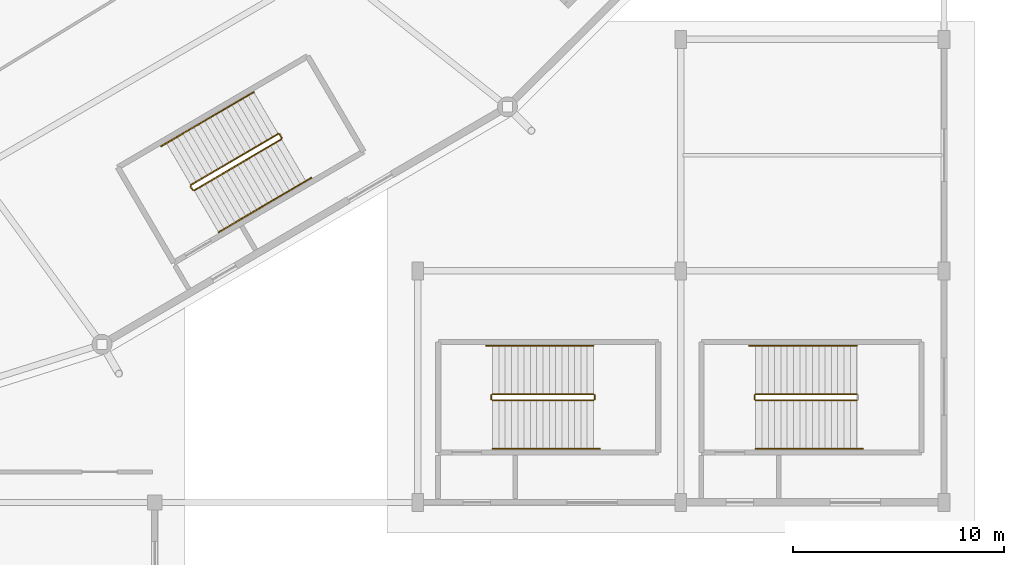
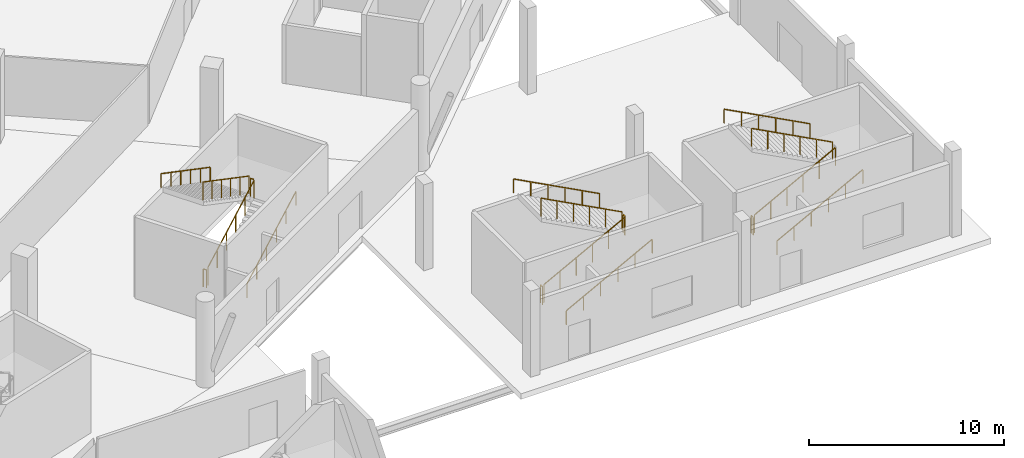
# One storey, part 69 of 82: 17 railings.
"""IFC4 building model written with IfcOpenShell, lengths in metres."""

from ifc_helpers import new_model, si_unit, direction, frame, origin, origin_2d, place, context, subcontext, project, spatial, rectangle, extrude, material, type_object, element, save


model = new_model("IFC4")

# Units and contexts
model_context = context("Model", 3, precision=1e-05, world=origin(), true_north=direction((0.0, 1.0)))
body_context = subcontext(model_context, "Body", "Model", "MODEL_VIEW")
ifc_project = project(units=[si_unit("LENGTHUNIT", "METRE"), si_unit("AREAUNIT", "SQUARE_METRE"), si_unit("VOLUMEUNIT", "CUBIC_METRE"), si_unit("PLANEANGLEUNIT", "RADIAN"), si_unit("MASSUNIT", "GRAM", prefix="KILO")], contexts=[model_context])

# Site, building, storey
site_placement = place(None, origin())
site = spatial("IfcSite", under=ifc_project, at=site_placement, CompositionType="ELEMENT")
building_placement = place(site_placement, origin())
building = spatial("IfcBuilding", under=site, at=building_placement, Name="Zlatoyarsky Gate Stadium", CompositionType="ELEMENT")
storey_placement = place(building_placement, origin())
storey = spatial("IfcBuildingStorey", under=building, at=storey_placement, Name="L00", CompositionType="ELEMENT", Elevation=0.0)

# Railings
ifc_material_1 = material(Name="Powder-coated steel stair guardrail", Category="steel")
railing_type_1 = type_object("IfcRailingType", Name="PAINTED STEEL STAIR WELL GUARDRAIL 1150", PredefinedType="GUARDRAIL", material=ifc_material_1)
railing_1_placement = place(storey_placement, frame((161.8779296875, 25.8232421875, 0.158935546875)))
element("IfcRailing", 1, at=railing_1_placement, inside=storey, type_object=railing_type_1, Name="ST-11 L00 stair guard 1", PredefinedType="GUARDRAIL", context=body_context, shape_type="SweptSolid", body=[
    extrude(rectangle(XDim=0.048095703125, YDim=0.048095703125, at=origin_2d()), frame((0.0, 0.0, 1.1259765625), z_axis=(0.762577086584, 0.446739630186, 0.467867384884), x_axis=(-0.505476687537, 0.862840262364, 0.0)), (0.0, 0.0, 1.0), 5.43115234375),
    extrude(rectangle(XDim=0.0419921875, YDim=0.0419921875, at=origin_2d()), origin(), (0.0, 0.0, 1.0), 1.101806640625),
    extrude(rectangle(XDim=0.0419921875, YDim=0.0419921875, at=origin_2d()), frame((0.828369140625, 0.4853515625, 0.50830078125)), (0.0, 0.0, 1.0), 1.101806640625),
    extrude(rectangle(XDim=0.0419921875, YDim=0.0419921875, at=origin_2d()), frame((1.65673828125, 0.970458984375, 1.016357421875)), (0.0, 0.0, 1.0), 1.101806640625),
    extrude(rectangle(XDim=0.0419921875, YDim=0.0419921875, at=origin_2d()), frame((2.48486328125, 1.455810546875, 1.524658203125)), (0.0, 0.0, 1.0), 1.101806640625),
    extrude(rectangle(XDim=0.0419921875, YDim=0.0419921875, at=origin_2d()), frame((3.313232421875, 1.94091796875, 2.03271484375)), (0.0, 0.0, 1.0), 1.101806640625),
    extrude(rectangle(XDim=0.0419921875, YDim=0.0419921875, at=origin_2d()), frame((4.1416015625, 2.42626953125, 2.541015625)), (0.0, 0.0, 1.0), 1.101806640625),
])
railing_2_placement = place(storey_placement, frame((166.037353515625, 28.31787109375, 2.699951171875)))
element("IfcRailing", 2, at=railing_2_placement, inside=storey, type_object=railing_type_1, Name="ST-11 L00 stair guard 2", PredefinedType="GUARDRAIL", context=body_context, shape_type="SweptSolid", body=[
    extrude(rectangle(XDim=0.048095703125, YDim=0.048095703125, at=origin_2d()), frame((0.0, 0.0, 1.1259765625), z_axis=(-0.505312229679, 0.862936585467, 0.0), x_axis=(-0.862936585467, -0.505312229679, 0.0)), (0.0, 0.0, 1.0), 0.199951171875),
    extrude(rectangle(XDim=0.0419921875, YDim=0.0419921875, at=origin_2d()), origin(), (0.0, 0.0, 1.0), 1.101806640625),
    extrude(rectangle(XDim=0.0419921875, YDim=0.0419921875, at=origin_2d()), frame((-0.10107421875, 0.172607421875, 0.0)), (0.0, 0.0, 1.0), 1.101806640625),
])
railing_3_placement = place(storey_placement, frame((165.867919921875, 28.50830078125, 2.85888671875)))
element("IfcRailing", 3, at=railing_3_placement, inside=storey, type_object=railing_type_1, Name="ST-11 L00 stair guard 3", PredefinedType="GUARDRAIL", context=body_context, shape_type="SweptSolid", body=[
    extrude(rectangle(XDim=0.048095703125, YDim=0.048095703125, at=origin_2d()), frame((0.0, 0.0, 1.1259765625), z_axis=(-0.762577086584, -0.446739630186, 0.467867384884), x_axis=(0.505476687537, -0.862840262364, 0.0)), (0.0, 0.0, 1.0), 5.43115234375),
    extrude(rectangle(XDim=0.0419921875, YDim=0.0419921875, at=origin_2d()), origin(), (0.0, 0.0, 1.0), 1.101806640625),
    extrude(rectangle(XDim=0.0419921875, YDim=0.0419921875, at=origin_2d()), frame((-0.828369140625, -0.4853515625, 0.50830078125)), (0.0, 0.0, 1.0), 1.101806640625),
    extrude(rectangle(XDim=0.0419921875, YDim=0.0419921875, at=origin_2d()), frame((-1.65673828125, -0.970458984375, 1.016357421875)), (0.0, 0.0, 1.0), 1.101806640625),
    extrude(rectangle(XDim=0.0419921875, YDim=0.0419921875, at=origin_2d()), frame((-2.48486328125, -1.455810546875, 1.524658203125)), (0.0, 0.0, 1.0), 1.101806640625),
    extrude(rectangle(XDim=0.0419921875, YDim=0.0419921875, at=origin_2d()), frame((-3.313232421875, -1.94091796875, 2.03271484375)), (0.0, 0.0, 1.0), 1.101806640625),
    extrude(rectangle(XDim=0.0419921875, YDim=0.0419921875, at=origin_2d()), frame((-4.1416015625, -2.42626953125, 2.541015625)), (0.0, 0.0, 1.0), 1.101806640625),
])
railing_4_placement = place(storey_placement, frame((161.809326171875, 25.841064453125, 0.0)))
element("IfcRailing", 4, at=railing_4_placement, inside=storey, type_object=railing_type_1, Name="ST-11 L00 stair guard 4", PredefinedType="GUARDRAIL", context=body_context, shape_type="SweptSolid", body=[
    extrude(rectangle(XDim=0.048095703125, YDim=0.048095703125, at=origin_2d()), frame((0.0, 0.0, 1.1259765625), z_axis=(-0.505312229679, 0.862936585467, 0.0), x_axis=(-0.862936585467, -0.505312229679, 0.0)), (0.0, 0.0, 1.0), 0.199951171875),
    extrude(rectangle(XDim=0.0419921875, YDim=0.0419921875, at=origin_2d()), origin(), (0.0, 0.0, 1.0), 1.101806640625),
    extrude(rectangle(XDim=0.0419921875, YDim=0.0419921875, at=origin_2d()), frame((-0.10107421875, 0.172607421875, 0.0)), (0.0, 0.0, 1.0), 1.101806640625),
])
railing_5_placement = place(storey_placement, frame((176.050048828125, 15.85009765625, 0.158935546875)))
element("IfcRailing", 5, at=railing_5_placement, inside=storey, type_object=railing_type_1, Name="ST-23 L00 stair guard 1", PredefinedType="GUARDRAIL", context=body_context, shape_type="SweptSolid", body=[
    extrude(rectangle(XDim=0.048095703125, YDim=0.048095703125, at=origin_2d()), frame((0.0, 0.0, 1.1259765625), z_axis=(0.883802130504, 0.0, 0.467860870469), x_axis=(0.0, 1.0, 0.0)), (0.0, 0.0, 1.0), 5.43115234375),
    extrude(rectangle(XDim=0.0419921875, YDim=0.0419921875, at=origin_2d()), origin(), (0.0, 0.0, 1.0), 1.101806640625),
    extrude(rectangle(XDim=0.0419921875, YDim=0.0419921875, at=origin_2d()), frame((0.9599609375, 0.0, 0.50830078125)), (0.0, 0.0, 1.0), 1.101806640625),
    extrude(rectangle(XDim=0.0419921875, YDim=0.0419921875, at=origin_2d()), frame((1.919921875, 0.0, 1.016357421875)), (0.0, 0.0, 1.0), 1.101806640625),
    extrude(rectangle(XDim=0.0419921875, YDim=0.0419921875, at=origin_2d()), frame((2.880126953125, 0.0, 1.524658203125)), (0.0, 0.0, 1.0), 1.101806640625),
    extrude(rectangle(XDim=0.0419921875, YDim=0.0419921875, at=origin_2d()), frame((3.840087890625, 0.0, 2.03271484375)), (0.0, 0.0, 1.0), 1.101806640625),
    extrude(rectangle(XDim=0.0419921875, YDim=0.0419921875, at=origin_2d()), frame((4.800048828125, 0.0, 2.541015625)), (0.0, 0.0, 1.0), 1.101806640625),
])
railing_6_placement = place(storey_placement, frame((180.89990234375, 15.89990234375, 2.699951171875)))
element("IfcRailing", 6, at=railing_6_placement, inside=storey, type_object=railing_type_1, Name="ST-23 L00 stair guard 2", PredefinedType="GUARDRAIL", context=body_context, shape_type="SweptSolid", body=[
    extrude(rectangle(XDim=0.048095703125, YDim=0.048095703125, at=origin_2d()), frame((0.0, 0.0, 1.1259765625), z_axis=(0.0, 1.0, 0.0), x_axis=(-1.0, 0.0, 0.0)), (0.0, 0.0, 1.0), 0.2001953125),
    extrude(rectangle(XDim=0.0419921875, YDim=0.0419921875, at=origin_2d()), origin(), (0.0, 0.0, 1.0), 1.101806640625),
    extrude(rectangle(XDim=0.0419921875, YDim=0.0419921875, at=origin_2d()), frame((0.0, 0.2001953125, 0.0)), (0.0, 0.0, 1.0), 1.101806640625),
])
railing_7_placement = place(storey_placement, frame((180.85009765625, 16.14990234375, 2.85888671875)))
element("IfcRailing", 7, at=railing_7_placement, inside=storey, type_object=railing_type_1, Name="ST-23 L00 stair guard 3", PredefinedType="GUARDRAIL", context=body_context, shape_type="SweptSolid", body=[
    extrude(rectangle(XDim=0.048095703125, YDim=0.048095703125, at=origin_2d()), frame((0.0, 0.0, 1.1259765625), z_axis=(-0.883802130504, 0.0, 0.467860870469), x_axis=(0.0, -1.0, 0.0)), (0.0, 0.0, 1.0), 5.43115234375),
    extrude(rectangle(XDim=0.0419921875, YDim=0.0419921875, at=origin_2d()), origin(), (0.0, 0.0, 1.0), 1.101806640625),
    extrude(rectangle(XDim=0.0419921875, YDim=0.0419921875, at=origin_2d()), frame((-0.9599609375, 0.0, 0.50830078125)), (0.0, 0.0, 1.0), 1.101806640625),
    extrude(rectangle(XDim=0.0419921875, YDim=0.0419921875, at=origin_2d()), frame((-1.919921875, 0.0, 1.016357421875)), (0.0, 0.0, 1.0), 1.101806640625),
    extrude(rectangle(XDim=0.0419921875, YDim=0.0419921875, at=origin_2d()), frame((-2.880126953125, 0.0, 1.524658203125)), (0.0, 0.0, 1.0), 1.101806640625),
    extrude(rectangle(XDim=0.0419921875, YDim=0.0419921875, at=origin_2d()), frame((-3.840087890625, 0.0, 2.03271484375)), (0.0, 0.0, 1.0), 1.101806640625),
    extrude(rectangle(XDim=0.0419921875, YDim=0.0419921875, at=origin_2d()), frame((-4.800048828125, 0.0, 2.541015625)), (0.0, 0.0, 1.0), 1.101806640625),
])
railing_8_placement = place(storey_placement, frame((176.0, 15.89990234375, 0.0)))
element("IfcRailing", 8, at=railing_8_placement, inside=storey, type_object=railing_type_1, Name="ST-23 L00 stair guard 4", PredefinedType="GUARDRAIL", context=body_context, shape_type="SweptSolid", body=[
    extrude(rectangle(XDim=0.048095703125, YDim=0.048095703125, at=origin_2d()), frame((0.0, 0.0, 1.1259765625), z_axis=(0.0, 1.0, 0.0), x_axis=(-1.0, 0.0, 0.0)), (0.0, 0.0, 1.0), 0.2001953125),
    extrude(rectangle(XDim=0.0419921875, YDim=0.0419921875, at=origin_2d()), origin(), (0.0, 0.0, 1.0), 1.101806640625),
    extrude(rectangle(XDim=0.0419921875, YDim=0.0419921875, at=origin_2d()), frame((0.0, 0.2001953125, 0.0)), (0.0, 0.0, 1.0), 1.101806640625),
])
railing_9_placement = place(storey_placement, frame((188.550048828125, 15.85009765625, 0.158935546875)))
element("IfcRailing", 9, at=railing_9_placement, inside=storey, type_object=railing_type_1, Name="ST-24 L00 stair guard 1", PredefinedType="GUARDRAIL", context=body_context, shape_type="SweptSolid", body=[
    extrude(rectangle(XDim=0.048095703125, YDim=0.048095703125, at=origin_2d()), frame((0.0, 0.0, 1.1259765625), z_axis=(0.883802130504, 0.0, 0.467860870469), x_axis=(0.0, 1.0, 0.0)), (0.0, 0.0, 1.0), 5.43115234375),
    extrude(rectangle(XDim=0.0419921875, YDim=0.0419921875, at=origin_2d()), origin(), (0.0, 0.0, 1.0), 1.101806640625),
    extrude(rectangle(XDim=0.0419921875, YDim=0.0419921875, at=origin_2d()), frame((0.9599609375, 0.0, 0.50830078125)), (0.0, 0.0, 1.0), 1.101806640625),
    extrude(rectangle(XDim=0.0419921875, YDim=0.0419921875, at=origin_2d()), frame((1.919921875, 0.0, 1.016357421875)), (0.0, 0.0, 1.0), 1.101806640625),
    extrude(rectangle(XDim=0.0419921875, YDim=0.0419921875, at=origin_2d()), frame((2.880126953125, 0.0, 1.524658203125)), (0.0, 0.0, 1.0), 1.101806640625),
    extrude(rectangle(XDim=0.0419921875, YDim=0.0419921875, at=origin_2d()), frame((3.840087890625, 0.0, 2.03271484375)), (0.0, 0.0, 1.0), 1.101806640625),
    extrude(rectangle(XDim=0.0419921875, YDim=0.0419921875, at=origin_2d()), frame((4.800048828125, 0.0, 2.541015625)), (0.0, 0.0, 1.0), 1.101806640625),
])
railing_10_placement = place(storey_placement, frame((193.35009765625, 16.14990234375, 2.85888671875)))
element("IfcRailing", 10, at=railing_10_placement, inside=storey, type_object=railing_type_1, Name="ST-24 L00 stair guard 3", PredefinedType="GUARDRAIL", context=body_context, shape_type="SweptSolid", body=[
    extrude(rectangle(XDim=0.048095703125, YDim=0.048095703125, at=origin_2d()), frame((0.0, 0.0, 1.1259765625), z_axis=(-0.883802130504, 0.0, 0.467860870469), x_axis=(0.0, -1.0, 0.0)), (0.0, 0.0, 1.0), 5.43115234375),
    extrude(rectangle(XDim=0.0419921875, YDim=0.0419921875, at=origin_2d()), origin(), (0.0, 0.0, 1.0), 1.101806640625),
    extrude(rectangle(XDim=0.0419921875, YDim=0.0419921875, at=origin_2d()), frame((-0.9599609375, 0.0, 0.50830078125)), (0.0, 0.0, 1.0), 1.101806640625),
    extrude(rectangle(XDim=0.0419921875, YDim=0.0419921875, at=origin_2d()), frame((-1.919921875, 0.0, 1.016357421875)), (0.0, 0.0, 1.0), 1.101806640625),
    extrude(rectangle(XDim=0.0419921875, YDim=0.0419921875, at=origin_2d()), frame((-2.880126953125, 0.0, 1.524658203125)), (0.0, 0.0, 1.0), 1.101806640625),
    extrude(rectangle(XDim=0.0419921875, YDim=0.0419921875, at=origin_2d()), frame((-3.840087890625, 0.0, 2.03271484375)), (0.0, 0.0, 1.0), 1.101806640625),
    extrude(rectangle(XDim=0.0419921875, YDim=0.0419921875, at=origin_2d()), frame((-4.800048828125, 0.0, 2.541015625)), (0.0, 0.0, 1.0), 1.101806640625),
])
railing_11_placement = place(storey_placement, frame((188.5, 15.89990234375, 0.0)))
element("IfcRailing", 11, at=railing_11_placement, inside=storey, type_object=railing_type_1, Name="ST-24 L00 stair guard 4", PredefinedType="GUARDRAIL", context=body_context, shape_type="SweptSolid", body=[
    extrude(rectangle(XDim=0.048095703125, YDim=0.048095703125, at=origin_2d()), frame((0.0, 0.0, 1.1259765625), z_axis=(0.0, 1.0, 0.0), x_axis=(-1.0, 0.0, 0.0)), (0.0, 0.0, 1.0), 0.2001953125),
    extrude(rectangle(XDim=0.0419921875, YDim=0.0419921875, at=origin_2d()), origin(), (0.0, 0.0, 1.0), 1.101806640625),
    extrude(rectangle(XDim=0.0419921875, YDim=0.0419921875, at=origin_2d()), frame((0.0, 0.2001953125, 0.0)), (0.0, 0.0, 1.0), 1.101806640625),
])
ifc_material_2 = material(Name="Brushed stainless steel 316 handrail", Category="steel")
railing_type_2 = type_object("IfcRailingType", Name="STAINLESS STEEL TUBULAR HANDRAIL 900", PredefinedType="HANDRAIL", material=ifc_material_2)
railing_12_placement = place(storey_placement, frame((163.040283203125, 23.838623046875, 0.162841796875)))
element("IfcRailing", 12, at=railing_12_placement, inside=storey, type_object=railing_type_2, Name="ST-11 L00 stair handrail 1", PredefinedType="HANDRAIL", context=body_context, shape_type="SweptSolid", body=[
    extrude(rectangle(XDim=0.048095703125, YDim=0.048095703125, at=origin_2d()), frame((0.0, 0.0, 0.8759765625), z_axis=(0.762584619125, 0.446720166066, 0.467873692255), x_axis=(-0.505456573929, 0.862852045181, 0.0)), (0.0, 0.0, 1.0), 5.770751953125),
    extrude(rectangle(XDim=0.0419921875, YDim=0.0419921875, at=origin_2d()), origin(), (0.0, 0.0, 1.0), 0.851806640625),
    extrude(rectangle(XDim=0.0419921875, YDim=0.0419921875, at=origin_2d()), frame((0.880126953125, 0.515625, 0.5400390625)), (0.0, 0.0, 1.0), 0.851806640625),
    extrude(rectangle(XDim=0.0419921875, YDim=0.0419921875, at=origin_2d()), frame((1.76025390625, 1.03125, 1.080078125)), (0.0, 0.0, 1.0), 0.851806640625),
    extrude(rectangle(XDim=0.0419921875, YDim=0.0419921875, at=origin_2d()), frame((2.640380859375, 1.546630859375, 1.619873046875)), (0.0, 0.0, 1.0), 0.851806640625),
    extrude(rectangle(XDim=0.0419921875, YDim=0.0419921875, at=origin_2d()), frame((3.5205078125, 2.062255859375, 2.159912109375)), (0.0, 0.0, 1.0), 0.851806640625),
    extrude(rectangle(XDim=0.0419921875, YDim=0.0419921875, at=origin_2d()), frame((4.400634765625, 2.577880859375, 2.699951171875)), (0.0, 0.0, 1.0), 0.851806640625),
])
railing_13_placement = place(storey_placement, frame((164.705322265625, 30.492919921875, 2.86279296875)))
element("IfcRailing", 13, at=railing_13_placement, inside=storey, type_object=railing_type_2, Name="ST-11 L00 stair handrail 2", PredefinedType="HANDRAIL", context=body_context, shape_type="SweptSolid", body=[
    extrude(rectangle(XDim=0.048095703125, YDim=0.048095703125, at=origin_2d()), frame((0.0, 0.0, 0.8759765625), z_axis=(-0.762584619125, -0.446720166066, 0.467873692255), x_axis=(0.505456573929, -0.862852045181, 0.0)), (0.0, 0.0, 1.0), 5.770751953125),
    extrude(rectangle(XDim=0.0419921875, YDim=0.0419921875, at=origin_2d()), origin(), (0.0, 0.0, 1.0), 0.851806640625),
    extrude(rectangle(XDim=0.0419921875, YDim=0.0419921875, at=origin_2d()), frame((-0.880126953125, -0.515625, 0.5400390625)), (0.0, 0.0, 1.0), 0.851806640625),
    extrude(rectangle(XDim=0.0419921875, YDim=0.0419921875, at=origin_2d()), frame((-1.76025390625, -1.03125, 1.080078125)), (0.0, 0.0, 1.0), 0.851806640625),
    extrude(rectangle(XDim=0.0419921875, YDim=0.0419921875, at=origin_2d()), frame((-2.640380859375, -1.546630859375, 1.619873046875)), (0.0, 0.0, 1.0), 0.851806640625),
    extrude(rectangle(XDim=0.0419921875, YDim=0.0419921875, at=origin_2d()), frame((-3.5205078125, -2.062255859375, 2.159912109375)), (0.0, 0.0, 1.0), 0.851806640625),
    extrude(rectangle(XDim=0.0419921875, YDim=0.0419921875, at=origin_2d()), frame((-4.400634765625, -2.577880859375, 2.699951171875)), (0.0, 0.0, 1.0), 0.851806640625),
])
railing_14_placement = place(storey_placement, frame((176.050048828125, 13.550048828125, 0.162841796875)))
element("IfcRailing", 14, at=railing_14_placement, inside=storey, type_object=railing_type_2, Name="ST-23 L00 stair handrail 1", PredefinedType="HANDRAIL", context=body_context, shape_type="SweptSolid", body=[
    extrude(rectangle(XDim=0.048095703125, YDim=0.048095703125, at=origin_2d()), frame((0.0, 0.0, 0.8759765625), z_axis=(0.883785858079, 0.0, 0.467891608238), x_axis=(0.0, 1.0, 0.0)), (0.0, 0.0, 1.0), 5.7705078125),
    extrude(rectangle(XDim=0.0419921875, YDim=0.0419921875, at=origin_2d()), origin(), (0.0, 0.0, 1.0), 0.851806640625),
    extrude(rectangle(XDim=0.0419921875, YDim=0.0419921875, at=origin_2d()), frame((1.02001953125, 0.0, 0.5400390625)), (0.0, 0.0, 1.0), 0.851806640625),
    extrude(rectangle(XDim=0.0419921875, YDim=0.0419921875, at=origin_2d()), frame((2.0400390625, 0.0, 1.080078125)), (0.0, 0.0, 1.0), 0.851806640625),
    extrude(rectangle(XDim=0.0419921875, YDim=0.0419921875, at=origin_2d()), frame((3.059814453125, 0.0, 1.619873046875)), (0.0, 0.0, 1.0), 0.851806640625),
    extrude(rectangle(XDim=0.0419921875, YDim=0.0419921875, at=origin_2d()), frame((4.079833984375, 0.0, 2.159912109375)), (0.0, 0.0, 1.0), 0.851806640625),
    extrude(rectangle(XDim=0.0419921875, YDim=0.0419921875, at=origin_2d()), frame((5.099853515625, 0.0, 2.699951171875)), (0.0, 0.0, 1.0), 0.851806640625),
])
railing_15_placement = place(storey_placement, frame((180.85009765625, 18.449951171875, 2.86279296875)))
element("IfcRailing", 15, at=railing_15_placement, inside=storey, type_object=railing_type_2, Name="ST-23 L00 stair handrail 2", PredefinedType="HANDRAIL", context=body_context, shape_type="SweptSolid", body=[
    extrude(rectangle(XDim=0.048095703125, YDim=0.048095703125, at=origin_2d()), frame((0.0, 0.0, 0.8759765625), z_axis=(-0.883795119882, 0.0, 0.467874113489), x_axis=(0.0, -1.0, 0.0)), (0.0, 0.0, 1.0), 5.770751953125),
    extrude(rectangle(XDim=0.0419921875, YDim=0.0419921875, at=origin_2d()), origin(), (0.0, 0.0, 1.0), 0.851806640625),
    extrude(rectangle(XDim=0.0419921875, YDim=0.0419921875, at=origin_2d()), frame((-1.02001953125, 0.0, 0.5400390625)), (0.0, 0.0, 1.0), 0.851806640625),
    extrude(rectangle(XDim=0.0419921875, YDim=0.0419921875, at=origin_2d()), frame((-2.0400390625, 0.0, 1.080078125)), (0.0, 0.0, 1.0), 0.851806640625),
    extrude(rectangle(XDim=0.0419921875, YDim=0.0419921875, at=origin_2d()), frame((-3.06005859375, 0.0, 1.619873046875)), (0.0, 0.0, 1.0), 0.851806640625),
    extrude(rectangle(XDim=0.0419921875, YDim=0.0419921875, at=origin_2d()), frame((-4.080078125, 0.0, 2.159912109375)), (0.0, 0.0, 1.0), 0.851806640625),
    extrude(rectangle(XDim=0.0419921875, YDim=0.0419921875, at=origin_2d()), frame((-5.10009765625, 0.0, 2.699951171875)), (0.0, 0.0, 1.0), 0.851806640625),
])
railing_16_placement = place(storey_placement, frame((188.550048828125, 13.550048828125, 0.162841796875)))
element("IfcRailing", 16, at=railing_16_placement, inside=storey, type_object=railing_type_2, Name="ST-24 L00 stair handrail 1", PredefinedType="HANDRAIL", context=body_context, shape_type="SweptSolid", body=[
    extrude(rectangle(XDim=0.048095703125, YDim=0.048095703125, at=origin_2d()), frame((0.0, 0.0, 0.8759765625), z_axis=(0.883785858079, 0.0, 0.467891608238), x_axis=(0.0, 1.0, 0.0)), (0.0, 0.0, 1.0), 5.7705078125),
    extrude(rectangle(XDim=0.0419921875, YDim=0.0419921875, at=origin_2d()), origin(), (0.0, 0.0, 1.0), 0.851806640625),
    extrude(rectangle(XDim=0.0419921875, YDim=0.0419921875, at=origin_2d()), frame((1.02001953125, 0.0, 0.5400390625)), (0.0, 0.0, 1.0), 0.851806640625),
    extrude(rectangle(XDim=0.0419921875, YDim=0.0419921875, at=origin_2d()), frame((2.0400390625, 0.0, 1.080078125)), (0.0, 0.0, 1.0), 0.851806640625),
    extrude(rectangle(XDim=0.0419921875, YDim=0.0419921875, at=origin_2d()), frame((3.059814453125, 0.0, 1.619873046875)), (0.0, 0.0, 1.0), 0.851806640625),
    extrude(rectangle(XDim=0.0419921875, YDim=0.0419921875, at=origin_2d()), frame((4.079833984375, 0.0, 2.159912109375)), (0.0, 0.0, 1.0), 0.851806640625),
    extrude(rectangle(XDim=0.0419921875, YDim=0.0419921875, at=origin_2d()), frame((5.099853515625, 0.0, 2.699951171875)), (0.0, 0.0, 1.0), 0.851806640625),
])
railing_17_placement = place(storey_placement, frame((193.35009765625, 18.449951171875, 2.86279296875)))
element("IfcRailing", 17, at=railing_17_placement, inside=storey, type_object=railing_type_2, Name="ST-24 L00 stair handrail 2", PredefinedType="HANDRAIL", context=body_context, shape_type="SweptSolid", body=[
    extrude(rectangle(XDim=0.048095703125, YDim=0.048095703125, at=origin_2d()), frame((0.0, 0.0, 0.8759765625), z_axis=(-0.883795119882, 0.0, 0.467874113489), x_axis=(0.0, -1.0, 0.0)), (0.0, 0.0, 1.0), 5.770751953125),
    extrude(rectangle(XDim=0.0419921875, YDim=0.0419921875, at=origin_2d()), origin(), (0.0, 0.0, 1.0), 0.851806640625),
    extrude(rectangle(XDim=0.0419921875, YDim=0.0419921875, at=origin_2d()), frame((-1.02001953125, 0.0, 0.5400390625)), (0.0, 0.0, 1.0), 0.851806640625),
    extrude(rectangle(XDim=0.0419921875, YDim=0.0419921875, at=origin_2d()), frame((-2.0400390625, 0.0, 1.080078125)), (0.0, 0.0, 1.0), 0.851806640625),
    extrude(rectangle(XDim=0.0419921875, YDim=0.0419921875, at=origin_2d()), frame((-3.06005859375, 0.0, 1.619873046875)), (0.0, 0.0, 1.0), 0.851806640625),
    extrude(rectangle(XDim=0.0419921875, YDim=0.0419921875, at=origin_2d()), frame((-4.080078125, 0.0, 2.159912109375)), (0.0, 0.0, 1.0), 0.851806640625),
    extrude(rectangle(XDim=0.0419921875, YDim=0.0419921875, at=origin_2d()), frame((-5.10009765625, 0.0, 2.699951171875)), (0.0, 0.0, 1.0), 0.851806640625),
])

save(model, "model.ifc")
